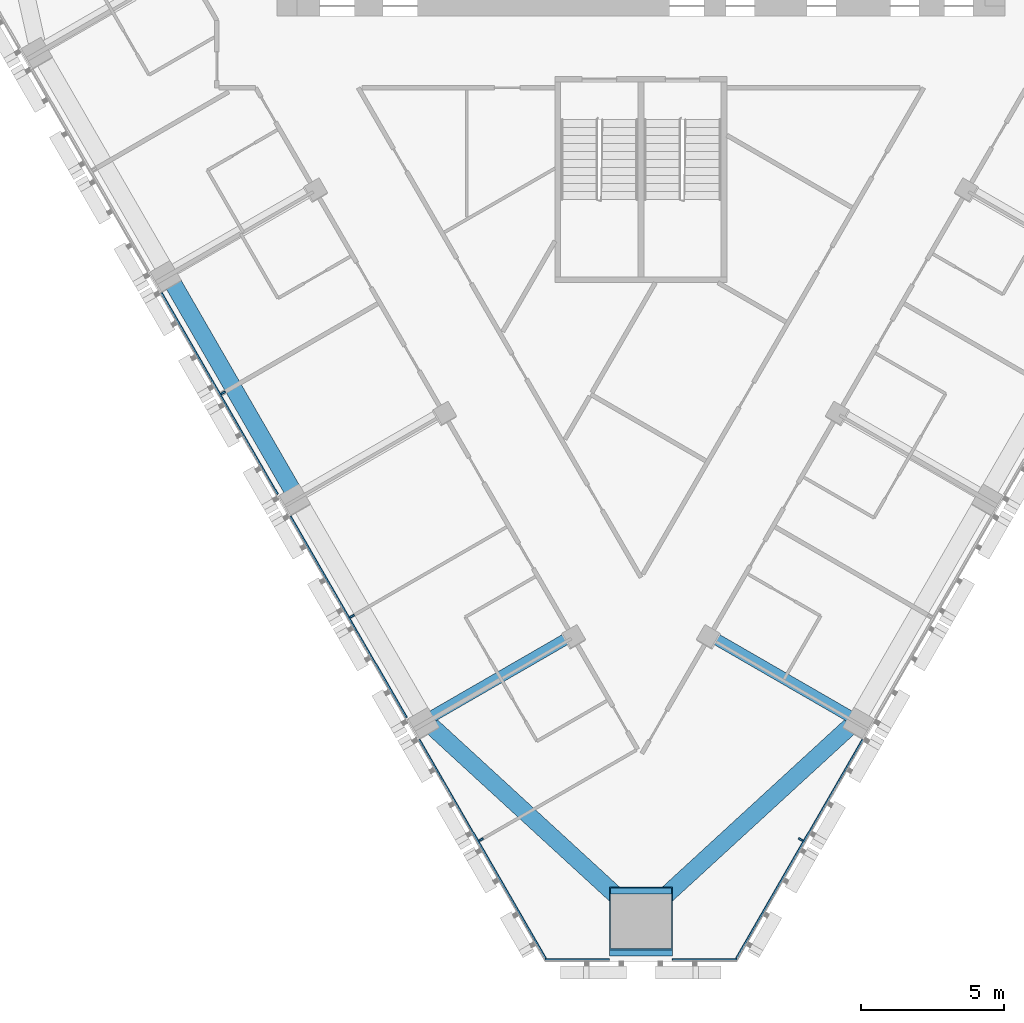
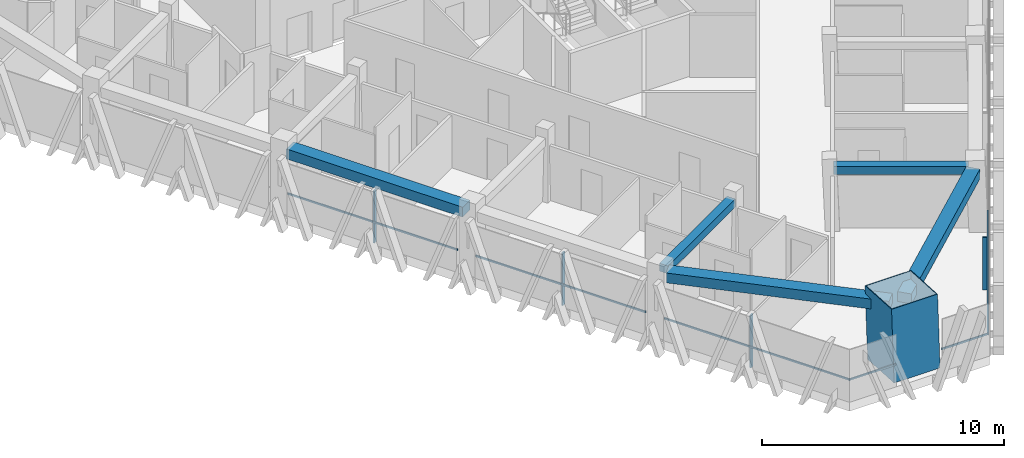
# One storey, part 2 of 16: 11 members, 5 beams, 3 elements without a shape of their own.
"""IFC4 building model written with IfcOpenShell, lengths in metres."""

from ifc_helpers import new_model, si_unit, direction, frame, origin, origin_2d, place, context, subcontext, project, spatial, rectangle, hollow_rectangle, extrude, material, layer, layer_set, material_profile, profile_set, type_object, element, aggregate, save


model = new_model("IFC4")

# Units and contexts
model_context = context("Model", 3, precision=1e-05, world=origin(), true_north=direction((0.0, 1.0)))
body_context = subcontext(model_context, "Body", "Model", "MODEL_VIEW")
ifc_project = project(units=[si_unit("LENGTHUNIT", "METRE"), si_unit("AREAUNIT", "SQUARE_METRE"), si_unit("VOLUMEUNIT", "CUBIC_METRE"), si_unit("PLANEANGLEUNIT", "RADIAN"), si_unit("MASSUNIT", "GRAM", prefix="KILO")], contexts=[model_context])

# Site, building, storey
site_placement = place(None, origin())
site = spatial("IfcSite", under=ifc_project, at=site_placement, CompositionType="ELEMENT")
building_placement = place(site_placement, origin())
building = spatial("IfcBuilding", under=site, at=building_placement, Name="Altiplano Prism Tower", CompositionType="ELEMENT")
storey_placement = place(building_placement, frame((0.0, 0.0, 181.800048828125)))
storey = spatial("IfcBuildingStorey", under=building, at=storey_placement, Name="L47", CompositionType="ELEMENT", Elevation=181.800048828125)

# Curtain wall, members
ifc_material_1 = material(Name="Aluminium and glass", Category="aluminium")
ifc_layer = layer(ifc_material_1, 0.280029296875)
ifc_layer_set = layer_set([ifc_layer], Name="Aluminium and glass")
curtain_wall_type = type_object("IfcCurtainWallType", Name="CW1 typical co-living unitised curtain wall", PredefinedType="NOTDEFINED", material=ifc_layer_set)
curtain_wall_1_placement = place(storey_placement, origin())
curtain_wall_1 = element("IfcCurtainWall", 1, at=curtain_wall_1_placement, inside=storey, type_object=curtain_wall_type, Name="CW1 curtain wall south-west face L47", PredefinedType="NOTDEFINED")
ifc_material_2 = material(Name="Aluminium", Category="aluminium")
ifc_material_profile_1 = material_profile(ifc_material_2, rectangle(XDim=0.179931640625, YDim=0.06494140625, at=origin_2d()), Name="CW1 mullion 65 x 180")
ifc_profile_set_1 = profile_set([ifc_material_profile_1], Name="Aluminium")
member_type_1 = type_object("IfcMemberType", Name="CW1 mullion 65 x 180", PredefinedType="MULLION", material=ifc_profile_set_1)
member_1_placement = place(storey_placement, frame((70.41748046875, 79.552490234375, 0.0), z_axis=(0.0, 0.0, 1.0), x_axis=(0.866025409055, 0.499999990871, 0.0)))
member_1 = element("IfcMember", 2, at=member_1_placement, type_object=member_type_1, Name="CW1 mullion", PredefinedType="MULLION", context=body_context, shape_type="SweptSolid", body=[
    extrude(rectangle(XDim=0.179931640625, YDim=0.06494140625, at=origin_2d()), origin(), (0.0, 0.0, 1.0), 2.64990234375),
])
member_2_placement = place(storey_placement, frame((74.91748046875, 71.75830078125, 0.0), z_axis=(0.0, 0.0, 1.0), x_axis=(0.866025409055, 0.499999990871, 0.0)))
member_2 = element("IfcMember", 3, at=member_2_placement, type_object=member_type_1, Name="CW1 mullion", PredefinedType="MULLION", context=body_context, shape_type="SweptSolid", body=[
    extrude(rectangle(XDim=0.179931640625, YDim=0.06494140625, at=origin_2d()), origin(), (0.0, 0.0, 1.0), 2.64990234375),
])
member_3_placement = place(storey_placement, frame((79.41748046875, 63.964111328125, 0.0), z_axis=(0.0, 0.0, 1.0), x_axis=(0.866025409055, 0.499999990871, 0.0)))
member_3 = element("IfcMember", 4, at=member_3_placement, type_object=member_type_1, Name="CW1 mullion", PredefinedType="MULLION", context=body_context, shape_type="SweptSolid", body=[
    extrude(rectangle(XDim=0.179931640625, YDim=0.06494140625, at=origin_2d()), origin(), (0.0, 0.0, 1.0), 2.64990234375),
])

# Curtain wall, member
curtain_wall_2_placement = place(storey_placement, origin())
curtain_wall_2 = element("IfcCurtainWall", 5, at=curtain_wall_2_placement, inside=storey, type_object=curtain_wall_type, Name="CW1 curtain wall south-east face L47", PredefinedType="NOTDEFINED")
member_4_placement = place(storey_placement, frame((90.58251953125, 63.964111328125, 0.0), z_axis=(0.0, 0.0, 1.0), x_axis=(-0.866025409055, 0.499999990871, 0.0)))
member_4 = element("IfcMember", 6, at=member_4_placement, type_object=member_type_1, Name="CW1 mullion", PredefinedType="MULLION", context=body_context, shape_type="SweptSolid", body=[
    extrude(rectangle(XDim=0.179931640625, YDim=0.06494140625, at=origin_2d()), origin(), (0.0, 0.0, 1.0), 2.64990234375),
])

# Member
ifc_material_profile_2 = material_profile(ifc_material_2, rectangle(XDim=0.06005859375, YDim=0.080078125, at=origin_2d()), Name="CW1 transom 80 x 60")
ifc_profile_set_2 = profile_set([ifc_material_profile_2], Name="Aluminium")
member_type_2 = type_object("IfcMemberType", Name="CW1 transom 80 x 60", PredefinedType="USERDEFINED", material=ifc_profile_set_2)
member_5_placement = place(storey_placement, frame((68.263916015625, 83.042724609375, 1.099853515625), z_axis=(0.50001308349, -0.866017849896, 0.0), x_axis=(0.866017849896, 0.50001308349, 0.0)))
member_5 = element("IfcMember", 7, at=member_5_placement, type_object=member_type_2, Name="CW1 transom", ObjectType="TRANSOM", PredefinedType="USERDEFINED", context=body_context, shape_type="SweptSolid", body=[
    extrude(rectangle(XDim=0.06005859375, YDim=0.080078125, at=origin_2d()), origin(), (0.0, 0.0, 1.0), 8.119873046875),
])

member_6_placement = place(storey_placement, frame((72.763916015625, 75.24853515625, 1.099853515625), z_axis=(0.500000064182, -0.866025366729, 0.0), x_axis=(0.866025366729, 0.500000064182, 0.0)))
member_6 = element("IfcMember", 8, at=member_6_placement, type_object=member_type_2, Name="CW1 transom", ObjectType="TRANSOM", PredefinedType="USERDEFINED", context=body_context, shape_type="SweptSolid", body=[
    extrude(rectangle(XDim=0.06005859375, YDim=0.080078125, at=origin_2d()), origin(), (0.0, 0.0, 1.0), 8.1201171875),
])

member_7_placement = place(storey_placement, frame((77.263916015625, 67.4541015625, 1.099853515625), z_axis=(0.500014420154, -0.866017078145, 0.0), x_axis=(0.866017078145, 0.500014420154, 0.0)))
member_7 = element("IfcMember", 9, at=member_7_placement, type_object=member_type_2, Name="CW1 transom", ObjectType="TRANSOM", PredefinedType="USERDEFINED", context=body_context, shape_type="SweptSolid", body=[
    extrude(rectangle(XDim=0.06005859375, YDim=0.080078125, at=origin_2d()), origin(), (0.0, 0.0, 1.0), 8.903076171875),
])

aggregate(curtain_wall_1, [member_1, member_5, member_2, member_6, member_3, member_7])

# Curtain wall, members
curtain_wall_3_placement = place(storey_placement, origin())
curtain_wall_3 = element("IfcCurtainWall", 10, at=curtain_wall_3_placement, inside=storey, type_object=curtain_wall_type, Name="CW1 curtain wall south chamfer L47", PredefinedType="NOTDEFINED")
member_8_placement = place(storey_placement, frame((81.65478515625, 59.77880859375, 1.099853515625), z_axis=(1.0, 0.0, 0.0), x_axis=(0.0, 1.0, 0.0)))
member_8 = element("IfcMember", 11, at=member_8_placement, type_object=member_type_2, Name="CW1 transom", ObjectType="TRANSOM", PredefinedType="USERDEFINED", context=body_context, shape_type="SweptSolid", body=[
    extrude(rectangle(XDim=0.06005859375, YDim=0.080078125, at=origin_2d()), origin(), (0.0, 0.0, 1.0), 2.2451171875),
])
member_9_placement = place(storey_placement, frame((86.10009765625, 59.77880859375, 1.099853515625), z_axis=(1.0, 0.0, 0.0), x_axis=(0.0, 1.0, 0.0)))
member_9 = element("IfcMember", 12, at=member_9_placement, type_object=member_type_2, Name="CW1 transom", ObjectType="TRANSOM", PredefinedType="USERDEFINED", context=body_context, shape_type="SweptSolid", body=[
    extrude(rectangle(XDim=0.06005859375, YDim=0.080078125, at=origin_2d()), origin(), (0.0, 0.0, 1.0), 2.2451171875),
])
aggregate(curtain_wall_3, [member_8, member_9])

# Member
member_10_placement = place(storey_placement, frame((88.284423828125, 59.743896484375, 1.099853515625), z_axis=(0.500014420154, 0.866017078145, 0.0), x_axis=(-0.866017078145, 0.500014420154, 0.0)))
member_10 = element("IfcMember", 13, at=member_10_placement, type_object=member_type_2, Name="CW1 transom", ObjectType="TRANSOM", PredefinedType="USERDEFINED", context=body_context, shape_type="SweptSolid", body=[
    extrude(rectangle(XDim=0.06005859375, YDim=0.080078125, at=origin_2d()), origin(), (0.0, 0.0, 1.0), 8.903076171875),
])

aggregate(curtain_wall_2, [member_4, member_10])

# Beams
ifc_material_3 = material(Name="Concrete C60/75", Category="concrete")
ifc_material_profile_3 = material_profile(ifc_material_3, rectangle(XDim=0.60009765625, YDim=0.5, at=origin_2d()), Name="Edge beam 600x500")
ifc_profile_set_3 = profile_set([ifc_material_profile_3], Name="Concrete C60/75")
beam_type_1 = type_object("IfcBeamType", Name="Edge beam 600x500", PredefinedType="SPANDREL", material=ifc_profile_set_3)
beam_placement = place(storey_placement, frame((68.61279296875, 83.4755859375, 2.89990234375), z_axis=(0.500006240468, -0.866021800818, 0.0), x_axis=(0.866021800818, 0.500006240468, 0.0)))
element("IfcBeam", 14, at=beam_placement, inside=storey, type_object=beam_type_1, Name="Edge beam P12-P13 L48", PredefinedType="SPANDREL", context=body_context, shape_type="SweptSolid", body=[
    extrude(rectangle(XDim=0.60009765625, YDim=0.5, at=origin_2d()), origin(), (0.0, 0.0, 1.0), 8.43994140625),
])
for number, where, z_axis, x_axis, name in (
    (15, (77.693115234375, 67.92724609375, 2.89990234375), (0.736654132076, -0.676269687103, 0.0), (0.676269687103, 0.736654132076, 0.0), "Edge beam P14-M1 L48"),
    (16, (85.33154296875, 61.523681640625, 2.89990234375), (0.736654132076, 0.676269687103, 0.0), (-0.676269687103, 0.736654132076, 0.0), "Edge beam M1-P21 L48"),
):
    element("IfcBeam", number, at=place(storey_placement, frame(where, z_axis=z_axis, x_axis=x_axis)), inside=storey, type_object=beam_type_1, Name=name, PredefinedType="SPANDREL", context=body_context, shape_type="SweptSolid", body=[
        extrude(rectangle(XDim=0.60009765625, YDim=0.5, at=origin_2d()), origin(), (0.0, 0.0, 1.0), 9.468994140625),
    ])

# Member
ifc_material_4 = material(Name="Steel S460", Category="steel")
ifc_material_profile_4 = material_profile(ifc_material_4, hollow_rectangle(XDim=2.199951171875, YDim=2.199951171875, WallThickness=0.0400390625, at=origin_2d()), Name="Mega column tube 2200")
ifc_profile_set_4 = profile_set([ifc_material_profile_4], Name="Steel S460")
member_type_3 = type_object("IfcMemberType", Name="Mega column tube 2200", PredefinedType="POST", material=ifc_profile_set_4)
member_11_placement = place(storey_placement, frame((85.0, 61.009033203125, 0.0), z_axis=(0.0, 0.058293378456, 0.998299495156), x_axis=(-1.0, 0.0, 0.0)))
element("IfcMember", 17, at=member_11_placement, inside=storey, type_object=member_type_3, Name="Mega column tube M1 L47", PredefinedType="POST", context=body_context, shape_type="SweptSolid", body=[
    extrude(hollow_rectangle(XDim=2.199951171875, YDim=2.199951171875, WallThickness=0.0400390625, at=origin_2d()), origin(), (0.0, 0.0, 1.0), 3.60595703125),
])

# Beams
ifc_material_profile_5 = material_profile(ifc_material_3, rectangle(XDim=0.39990234375, YDim=0.39990234375, at=origin_2d()), Name="Tie beam 400x400")
ifc_profile_set_5 = profile_set([ifc_material_profile_5], Name="Concrete C60/75")
beam_type_2 = type_object("IfcBeamType", Name="Tie beam 400x400", PredefinedType="BEAM", material=ifc_profile_set_5)
for number, where, z_axis, x_axis, name in (
    (18, (82.556396484375, 71.064697265625, 2.949951171875), (-0.866041588165, -0.499971966783, 0.0), (0.499971966783, -0.866041588165, 0.0), "Tie beam I14 L48"),
    (19, (87.443603515625, 71.064697265625, 2.949951171875), (0.866041588165, -0.499971966783, 0.0), (0.499971966783, 0.866041588165, 0.0), "Tie beam I21 L48"),
):
    element("IfcBeam", number, at=place(storey_placement, frame(where, z_axis=z_axis, x_axis=x_axis)), inside=storey, type_object=beam_type_2, Name=name, PredefinedType="BEAM", context=body_context, shape_type="SweptSolid", body=[
        extrude(rectangle(XDim=0.39990234375, YDim=0.39990234375, at=origin_2d()), origin(), (0.0, 0.0, 1.0), 5.590087890625),
    ])

save(model, "model.ifc")
